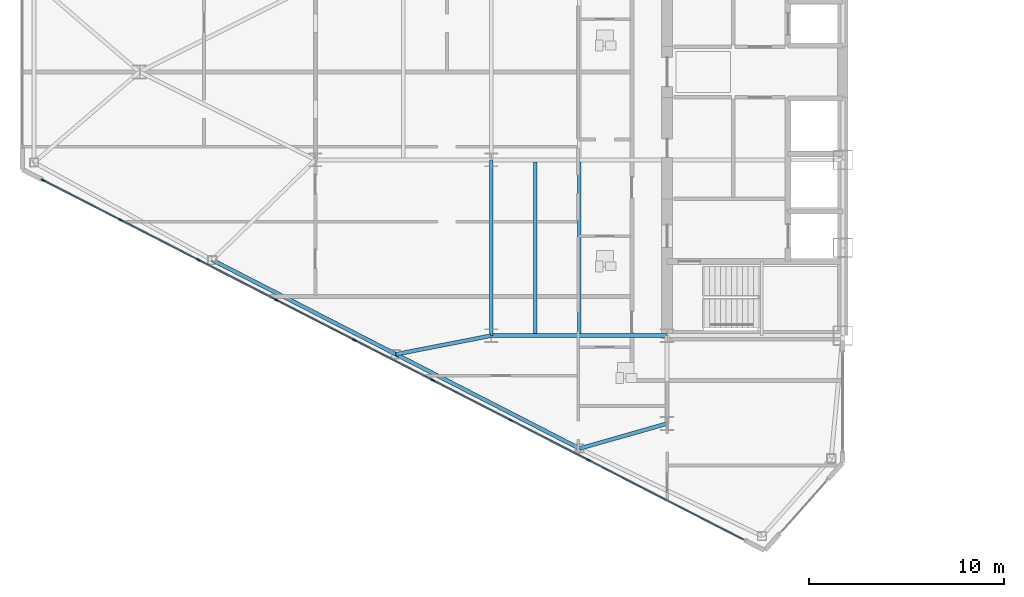
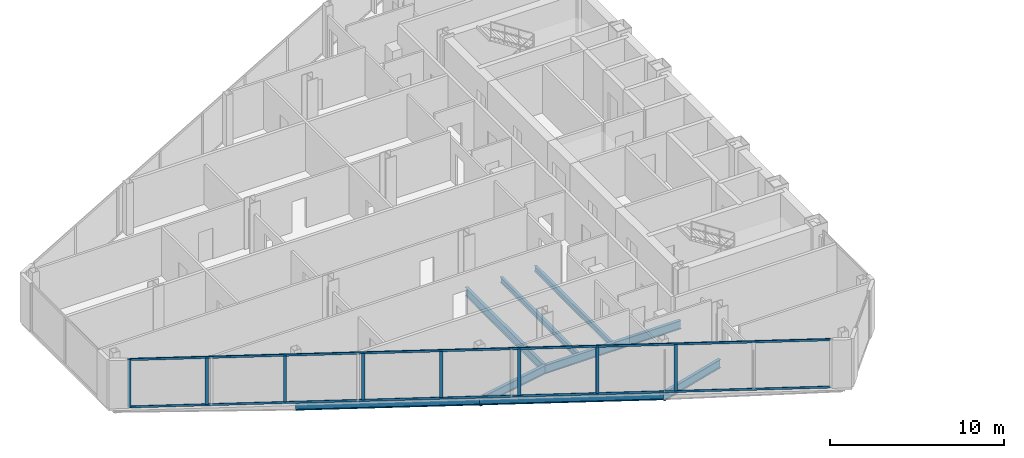
# One storey, part 3 of 24: 10 members, 8 beams, 1 element without a shape of its own.
"""IFC4 building model written with IfcOpenShell, lengths in metres."""

from ifc_helpers import new_model, si_unit, direction, frame, origin, origin_2d, place, context, subcontext, project, spatial, rectangle, i_section, extrude, source, transform, mapped, material, layer, layer_set, material_profile, profile_set, type_object, type_shapes, element, aggregate, save


model = new_model("IFC4")

# Units and contexts
model_context = context("Model", 3, precision=1e-05, world=origin(), true_north=direction((0.0, 1.0)))
body_context = subcontext(model_context, "Body", "Model", "MODEL_VIEW")
ifc_project = project(units=[si_unit("LENGTHUNIT", "METRE"), si_unit("AREAUNIT", "SQUARE_METRE"), si_unit("VOLUMEUNIT", "CUBIC_METRE"), si_unit("PLANEANGLEUNIT", "RADIAN"), si_unit("MASSUNIT", "GRAM", prefix="KILO")], contexts=[model_context])

# Site, building, storey
site_placement = place(None, origin())
site = spatial("IfcSite", under=ifc_project, at=site_placement, CompositionType="ELEMENT")
building_placement = place(site_placement, origin())
building = spatial("IfcBuilding", under=site, at=building_placement, Name="Seokmaru Belvedere", CompositionType="ELEMENT")
storey_placement = place(building_placement, frame((0.0, 0.0, 140.39990234375)))
storey = spatial("IfcBuildingStorey", under=building, at=storey_placement, Name="L37", CompositionType="ELEMENT", Elevation=140.39990234375)

# Beams
ifc_material_1 = material(Name="Steel SM355 (355 MPa)", Category="steel")
ifc_material_profile_1 = material_profile(ifc_material_1, i_section(OverallWidth=0.199951171875, OverallDepth=0.60009765625, WebThickness=0.010986328125, FlangeThickness=0.01708984375, at=origin_2d()), Name="H-600x200x11x17")
ifc_profile_set_1 = profile_set([ifc_material_profile_1], Name="Steel SM355 (355 MPa)")
beam_type_1 = type_object("IfcBeamType", Name="Primary Floor Girder H-600", PredefinedType="BEAM", material=ifc_profile_set_1)
shared_shape_1 = source(origin(), body_context, "Body", "SweptSolid", [
    extrude(i_section(OverallWidth=0.199951171875, OverallDepth=0.60009765625, WebThickness=0.010986328125, FlangeThickness=0.01708984375, at=origin_2d()), origin(), (0.0, 0.0, 1.0), 9.0),
])
for number, where, z_axis, x_axis, name in (
    (1, (-45.5, -13.5, -0.52001953125), (0.0, 1.0, 0.0), (-1.0, 0.0, 0.0), "L37 W Interior Grid Girder 1"),
    (2, (-45.5, -13.5, -0.52001953125), (1.0, 0.0, 0.0), (0.0, 1.0, 0.0), "L37 W Wing Primary Girder 1"),
):
    element("IfcBeam", number, at=place(storey_placement, frame(where, z_axis=z_axis, x_axis=x_axis)), inside=storey, type_object=beam_type_1, Name=name, PredefinedType="BEAM", context=body_context, shape_type="MappedRepresentation", body=[
        mapped(shared_shape_1, transform((0.0, 0.0, 0.0), scale=1.0)),
    ])
ifc_material_profile_2 = material_profile(ifc_material_1, i_section(OverallWidth=0.18505859375, OverallDepth=0.389892578125, WebThickness=0.008056640625, FlangeThickness=0.011962890625, at=origin_2d()), Name="H-390x185x8x12")
ifc_profile_set_2 = profile_set([ifc_material_profile_2], Name="Steel SM355 (355 MPa)")
beam_type_2 = type_object("IfcBeamType", Name="Secondary Floor Joist H-350", PredefinedType="JOIST", material=ifc_profile_set_2)
shared_shape_2 = source(origin(), body_context, "Body", "SweptSolid", [
    extrude(i_section(OverallWidth=0.18505859375, OverallDepth=0.389892578125, WebThickness=0.008056640625, FlangeThickness=0.011962890625, at=origin_2d()), origin(), (0.0, 0.0, 1.0), 8.7900390625),
])
type_shapes(beam_type_2, [shared_shape_2])
for number, where, z_axis, x_axis, name in (
    (3, (-43.25, -13.39501953125, -0.414794921875), (0.0, 1.0, 0.0), (-1.0, 0.0, 0.0), "L37 W Wing Inner Secondary Joist 1"),
    (4, (-41.0, -13.39501953125, -0.414794921875), (0.0, 1.0, 0.0), (-1.0, 0.0, 0.0), "L37 W Secondary Floor Joist 1"),
):
    element("IfcBeam", number, at=place(storey_placement, frame(where, z_axis=z_axis, x_axis=x_axis)), inside=storey, type_object=beam_type_2, Name=name, PredefinedType="JOIST", context=body_context, shape_type="MappedRepresentation", body=[
        mapped(shared_shape_2, transform((0.0, 0.0, 0.0), scale=1.0)),
    ])
ifc_material_profile_3 = material_profile(ifc_material_1, i_section(OverallWidth=0.199951171875, OverallDepth=0.5, WebThickness=0.010009765625, FlangeThickness=0.01611328125, at=origin_2d()), Name="H-500x200x10x16")
ifc_profile_set_3 = profile_set([ifc_material_profile_3], Name="Steel SM355 (355 MPa)")
beam_type_3 = type_object("IfcBeamType", Name="Perimeter Spandrel Beam H-500", PredefinedType="SPANDREL", material=ifc_profile_set_3)
shared_shape_3 = source(origin(), body_context, "Body", "SweptSolid", [
    extrude(i_section(OverallWidth=0.199951171875, OverallDepth=0.5, WebThickness=0.010009765625, FlangeThickness=0.01611328125, at=origin_2d()), origin(), (0.0, 0.0, 1.0), 10.56689453125),
])
type_shapes(beam_type_3, [shared_shape_3])
for number, where, z_axis, x_axis, name in (
    (5, (-40.975830078125, -19.277587890625, -0.469970703125), (-0.889701972758, 0.45654178305, 0.0), (-0.45654178305, -0.889701972758, 0.0), "L37 W Faceted Flank Spandrel S-2"),
    (6, (-50.377197265625, -14.453369140625, -0.469970703125), (-0.889692588006, 0.456560071455, 0.0), (-0.456560071455, -0.889692588006, 0.0), "L37 W Faceted Flank Spandrel S-3"),
):
    element("IfcBeam", number, at=place(storey_placement, frame(where, z_axis=z_axis, x_axis=x_axis)), inside=storey, type_object=beam_type_3, Name=name, PredefinedType="SPANDREL", context=body_context, shape_type="MappedRepresentation", body=[
        mapped(shared_shape_3, transform((0.0, 0.0, 0.0), scale=1.0)),
    ])
shared_shape_4 = source(origin(), body_context, "Body", "SweptSolid", [
    extrude(i_section(OverallWidth=0.199951171875, OverallDepth=0.60009765625, WebThickness=0.010986328125, FlangeThickness=0.01708984375, at=origin_2d()), origin(), (0.0, 0.0, 1.0), 4.654541015625),
])
beam_1_placement = place(storey_placement, frame((-40.975830078125, -19.277587890625, -0.52001953125), z_axis=(0.961593192625, 0.274478654721, 0.0), x_axis=(-0.274478654721, 0.961593192625, 0.0)))
element("IfcBeam", 7, at=beam_1_placement, inside=storey, type_object=beam_type_1, Name="L37 W Flank Radial Floor Girder S-1", PredefinedType="BEAM", context=body_context, shape_type="MappedRepresentation", body=[
    mapped(shared_shape_4, transform((0.0, 0.0, 0.0), scale=1.0)),
])
shared_shape_5 = source(origin(), body_context, "Body", "SweptSolid", [
    extrude(i_section(OverallWidth=0.199951171875, OverallDepth=0.60009765625, WebThickness=0.010986328125, FlangeThickness=0.01708984375, at=origin_2d()), origin(), (0.0, 0.0, 1.0), 4.969482421875),
])
type_shapes(beam_type_1, [shared_shape_1, shared_shape_4, shared_shape_5])
beam_2_placement = place(storey_placement, frame((-50.377197265625, -14.453369140625, -0.52001953125), z_axis=(0.98142544456, 0.19184393858, 0.0), x_axis=(-0.19184393858, 0.98142544456, 0.0)))
element("IfcBeam", 8, at=beam_2_placement, inside=storey, type_object=beam_type_1, Name="L37 W Flank Radial Floor Girder S-2", PredefinedType="BEAM", context=body_context, shape_type="MappedRepresentation", body=[
    mapped(shared_shape_5, transform((0.0, 0.0, 0.0), scale=1.0)),
])

# Curtain wall, members
ifc_material_2 = material(Name="Bronze Triple Insulating Glass", Category="glass")
ifc_layer = layer(ifc_material_2, 0.195068359375)
ifc_layer_set = layer_set([ifc_layer], Name="Bronze Triple Insulating Glass")
curtain_wall_type = type_object("IfcCurtainWallType", Name="Sky-Lobby and Mid-Rise Curtain Wall System CW-4", PredefinedType="NOTDEFINED", material=ifc_layer_set)
curtain_wall_placement = place(storey_placement, origin())
curtain_wall = element("IfcCurtainWall", 9, at=curtain_wall_placement, inside=storey, type_object=curtain_wall_type, Name="L37 Curtain Wall WF5", PredefinedType="NOTDEFINED")
ifc_material_3 = material(Name="Anodised Bronze Aluminium", Category="aluminium")
ifc_material_profile_4 = material_profile(ifc_material_3, rectangle(XDim=0.070068359375, YDim=0.195068359375, at=origin_2d()), Name="CW-M-70x195")
ifc_profile_set_4 = profile_set([ifc_material_profile_4], Name="Anodised Bronze Aluminium")
member_type_1 = type_object("IfcMemberType", Name="Bronze Unitised Mullion 70x195", PredefinedType="MULLION", material=ifc_profile_set_4)
shared_shape_6 = source(origin(), body_context, "Body", "SweptSolid", [
    extrude(rectangle(XDim=0.070068359375, YDim=0.195068359375, at=origin_2d()), origin(), (0.0, 0.0, 1.0), 3.380126953125),
])
member_1_placement = place(storey_placement, frame((-68.44580078125, -5.541015625, 0.0), z_axis=(0.0, 0.0, 1.0), x_axis=(0.456554528263, 0.889695432562, 0.0)))
member_1 = element("IfcMember", 10, at=member_1_placement, type_object=member_type_1, Name="CW:L37:WF5 Mullion 1", PredefinedType="MULLION", context=body_context, shape_type="MappedRepresentation", body=[
    mapped(shared_shape_6, transform((0.0, 0.0, 0.0), scale=1.0)),
])
shared_shape_7 = source(origin(), body_context, "Body", "SweptSolid", [
    extrude(rectangle(XDim=0.070068359375, YDim=0.195068359375, at=origin_2d()), origin(), (0.0, 0.0, 1.0), 3.25),
])
type_shapes(member_type_1, [shared_shape_6, shared_shape_7])
member_2_placement = place(storey_placement, frame((-64.48193359375, -7.574951171875, 0.065185546875), z_axis=(0.0, 0.0, 1.0), x_axis=(0.456554528263, 0.889695432562, 0.0)))
member_2 = element("IfcMember", 11, at=member_2_placement, type_object=member_type_1, Name="CW:L37:WF5 Mullion 2", PredefinedType="MULLION", context=body_context, shape_type="MappedRepresentation", body=[
    mapped(shared_shape_7, transform((0.0, 0.0, 0.0), scale=1.0)),
])
member_3_placement = place(storey_placement, frame((-60.4873046875, -9.625, 0.065185546875), z_axis=(0.0, 0.0, 1.0), x_axis=(0.456554528263, 0.889695432562, 0.0)))
member_3 = element("IfcMember", 12, at=member_3_placement, type_object=member_type_1, Name="CW:L37:WF5 Mullion 3", PredefinedType="MULLION", context=body_context, shape_type="MappedRepresentation", body=[
    mapped(shared_shape_7, transform((0.0, 0.0, 0.0), scale=1.0)),
])
member_4_placement = place(storey_placement, frame((-56.4921875, -11.675048828125, 0.065185546875), z_axis=(0.0, 0.0, 1.0), x_axis=(0.456554528263, 0.889695432562, 0.0)))
member_4 = element("IfcMember", 13, at=member_4_placement, type_object=member_type_1, Name="CW:L37:WF5 Mullion 4", PredefinedType="MULLION", context=body_context, shape_type="MappedRepresentation", body=[
    mapped(shared_shape_7, transform((0.0, 0.0, 0.0), scale=1.0)),
])
member_5_placement = place(storey_placement, frame((-52.497314453125, -13.72509765625, 0.065185546875), z_axis=(0.0, 0.0, 1.0), x_axis=(0.456554528263, 0.889695432562, 0.0)))
member_5 = element("IfcMember", 14, at=member_5_placement, type_object=member_type_1, Name="CW:L37:WF5 Mullion 5", PredefinedType="MULLION", context=body_context, shape_type="MappedRepresentation", body=[
    mapped(shared_shape_7, transform((0.0, 0.0, 0.0), scale=1.0)),
])
member_6_placement = place(storey_placement, frame((-48.502685546875, -15.77490234375, 0.065185546875), z_axis=(0.0, 0.0, 1.0), x_axis=(0.456554528263, 0.889695432562, 0.0)))
member_6 = element("IfcMember", 15, at=member_6_placement, type_object=member_type_1, Name="CW:L37:WF5 Mullion 6", PredefinedType="MULLION", context=body_context, shape_type="MappedRepresentation", body=[
    mapped(shared_shape_7, transform((0.0, 0.0, 0.0), scale=1.0)),
])
member_7_placement = place(storey_placement, frame((-44.5078125, -17.824951171875, 0.065185546875), z_axis=(0.0, 0.0, 1.0), x_axis=(0.456554528263, 0.889695432562, 0.0)))
member_7 = element("IfcMember", 16, at=member_7_placement, type_object=member_type_1, Name="CW:L37:WF5 Mullion 7", PredefinedType="MULLION", context=body_context, shape_type="MappedRepresentation", body=[
    mapped(shared_shape_7, transform((0.0, 0.0, 0.0), scale=1.0)),
])
member_8_placement = place(storey_placement, frame((-40.5126953125, -19.875, 0.065185546875), z_axis=(0.0, 0.0, 1.0), x_axis=(0.456554528263, 0.889695432562, 0.0)))
member_8 = element("IfcMember", 17, at=member_8_placement, type_object=member_type_1, Name="CW:L37:WF5 Mullion 8", PredefinedType="MULLION", context=body_context, shape_type="MappedRepresentation", body=[
    mapped(shared_shape_7, transform((0.0, 0.0, 0.0), scale=1.0)),
])
ifc_material_profile_5 = material_profile(ifc_material_3, rectangle(XDim=0.06494140625, YDim=0.14990234375, at=origin_2d()), Name="CW-T-65x150")
ifc_profile_set_5 = profile_set([ifc_material_profile_5], Name="Anodised Bronze Aluminium")
member_type_2 = type_object("IfcMemberType", Name="Bronze Unitised Transom 65x150", PredefinedType="USERDEFINED", material=ifc_profile_set_5)
shared_shape_8 = source(origin(), body_context, "Body", "SweptSolid", [
    extrude(rectangle(XDim=0.06494140625, YDim=0.14990234375, at=origin_2d()), origin(), (0.0, 0.0, 1.0), 40.271240234375),
])
type_shapes(member_type_2, [shared_shape_8])
member_9_placement = place(storey_placement, frame((-68.41455078125, -5.556884765625, 0.03271484375), z_axis=(0.889693089107, -0.456559094965, 0.0), x_axis=(0.456559094965, 0.889693089107, 0.0)))
member_9 = element("IfcMember", 18, at=member_9_placement, type_object=member_type_2, Name="CW:L37:WF5 Continuous Transom 1", ObjectType="TRANSOM", PredefinedType="USERDEFINED", context=body_context, shape_type="MappedRepresentation", body=[
    mapped(shared_shape_8, transform((0.0, 0.0, 0.0), scale=1.0)),
])
member_10_placement = place(storey_placement, frame((-68.41455078125, -5.556884765625, 3.34765625), z_axis=(0.889693089107, -0.456559094965, 0.0), x_axis=(0.456559094965, 0.889693089107, 0.0)))
member_10 = element("IfcMember", 19, at=member_10_placement, type_object=member_type_2, Name="CW:L37:WF5 Continuous Transom 2", ObjectType="TRANSOM", PredefinedType="USERDEFINED", context=body_context, shape_type="MappedRepresentation", body=[
    mapped(shared_shape_8, transform((0.0, 0.0, 0.0), scale=1.0)),
])
aggregate(curtain_wall, [member_1, member_2, member_3, member_4, member_5, member_6, member_7, member_8, member_9, member_10])

save(model, "model.ifc")
